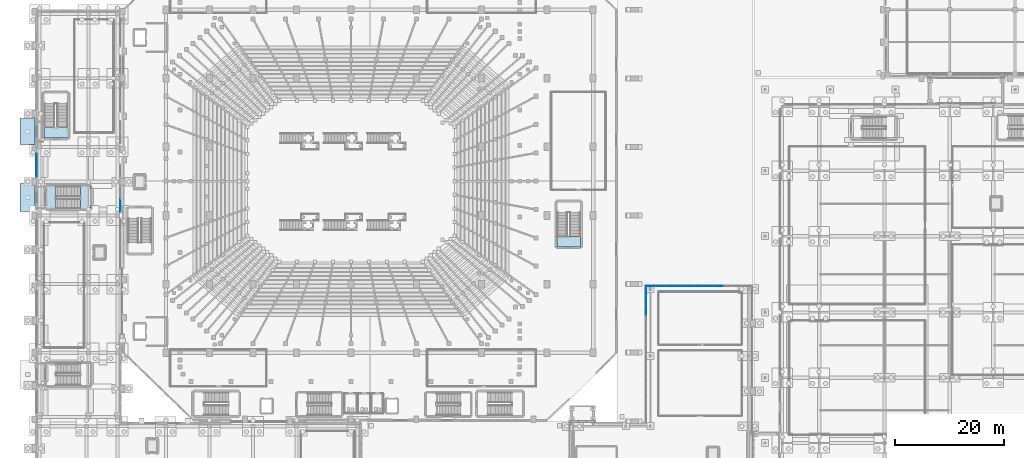
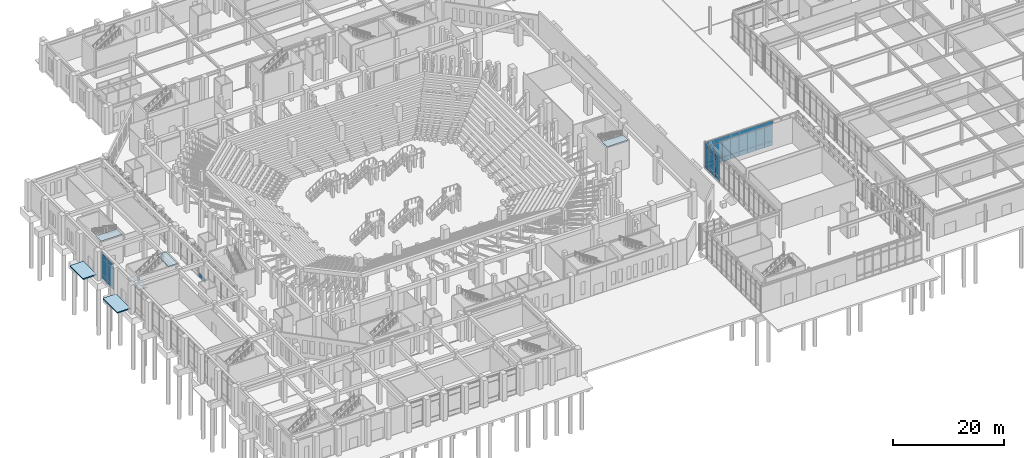
# One storey, part 82 of 143: 40 plates, 6 slabs, 7 elements without a shape of their own.
"""IFC4 building model written with IfcOpenShell, lengths in metres."""

from ifc_helpers import new_model, si_unit, derived_unit, direction, frame, origin, origin_2d, place, context, subcontext, project, spatial, polyline, rectangle, outline, extrude, material, layer, layer_set, type_object, element, aggregate, save


model = new_model("IFC4")

# Units and contexts
model_context = context("Model", 3, precision=1e-05, world=origin(), true_north=direction((0.0, 1.0)))
body_context = subcontext(model_context, "Body", "Model", "MODEL_VIEW")
ifc_project = project(units=[si_unit("LENGTHUNIT", "METRE"), si_unit("AREAUNIT", "SQUARE_METRE"), si_unit("VOLUMEUNIT", "CUBIC_METRE"), si_unit("PLANEANGLEUNIT", "RADIAN"), si_unit("MASSUNIT", "GRAM", prefix="KILO"), derived_unit("THERMALTRANSMITTANCEUNIT", [(si_unit("MASSUNIT", "GRAM", prefix="KILO"), 1), (si_unit("TIMEUNIT", "SECOND"), -3), (si_unit("THERMODYNAMICTEMPERATUREUNIT", "KELVIN"), -1)])], contexts=[model_context])

# Site, building, storey
site_placement = place(None, origin())
site = spatial("IfcSite", under=ifc_project, at=site_placement, CompositionType="ELEMENT")
building_placement = place(site_placement, origin())
building = spatial("IfcBuilding", under=site, at=building_placement, Name="Valcora Ridge Arena", CompositionType="ELEMENT")
storey_placement = place(building_placement, origin())
storey = spatial("IfcBuildingStorey", under=building, at=storey_placement, Name="L00", CompositionType="ELEMENT", Elevation=0.0)

# Stair, slabs
ifc_material_1 = material(Name="Concrete C40/50", Category="concrete")
stair_type_1 = type_object("IfcStairType", Name="TY-STAIR-ES08-60", PredefinedType="HALF_TURN_STAIR", material=ifc_material_1)
stair_1_placement = place(storey_placement, origin())
stair_1 = element("IfcStair", 1, at=stair_1_placement, inside=storey, type_object=stair_type_1, Name="ES08-60 STR-ES-0027", PredefinedType="HALF_TURN_STAIR")
ifc_layer_1 = layer(ifc_material_1, 0.199951171875, Name="Concrete C40/50")
ifc_layer_set_1 = layer_set([ifc_layer_1], Name="Concrete C40/50")
slab_type_1 = type_object("IfcSlabType", Name="TY-LAND-ES08-60", PredefinedType="LANDING", material=ifc_layer_set_1)
slab_1_placement = place(storey_placement, frame((0.0, 0.0, 2.800048828125)))
slab_1 = element("IfcSlab", 2, at=slab_1_placement, type_object=slab_type_1, Name="ES08-60 landing 1", PredefinedType="LANDING", context=body_context, shape_type="SweptSolid", body=[
    extrude(outline(polyline([(2.001953125, 59.001953125), (3.840087890625, 59.001953125), (3.840087890625, 63.197998046875), (2.001953125, 63.197998046875), (2.001953125, 59.001953125)])), origin(), (0.0, 0.0, 1.0), 0.199951171875),
])
slab_2_placement = place(storey_placement, frame((0.0, 0.0, 5.800048828125)))
slab_2 = element("IfcSlab", 3, at=slab_2_placement, type_object=slab_type_1, Name="ES08-60 landing 2", PredefinedType="LANDING", context=body_context, shape_type="SweptSolid", body=[
    extrude(outline(polyline([(8.280029296875, 59.001953125), (10.157958984375, 59.001953125), (10.157958984375, 63.197998046875), (8.280029296875, 63.197998046875), (8.280029296875, 59.001953125)])), origin(), (0.0, 0.0, 1.0), 0.199951171875),
])
aggregate(stair_1, [slab_1, slab_2])

# Stair, slab
stair_type_2 = type_object("IfcStairType", Name="TY-STAIR-ST06-60", PredefinedType="HALF_TURN_STAIR", material=ifc_material_1)
stair_2_placement = place(storey_placement, origin())
stair_2 = element("IfcStair", 4, at=stair_2_placement, inside=storey, type_object=stair_type_2, Name="ST06-60 STR-CR-0030", PredefinedType="HALF_TURN_STAIR")
ifc_layer_2 = layer(ifc_material_1, 0.199951171875, Name="Concrete C40/50")
ifc_layer_set_2 = layer_set([ifc_layer_2], Name="Concrete C40/50")
slab_type_2 = type_object("IfcSlabType", Name="TY-LAND-ST06-60", PredefinedType="LANDING", material=ifc_layer_set_2)
slab_3_placement = place(storey_placement, frame((0.0, 0.0, 5.800048828125)))
slab_3 = element("IfcSlab", 5, at=slab_3_placement, type_object=slab_type_2, Name="ST06-60 landing 2", PredefinedType="LANDING", context=body_context, shape_type="SweptSolid", body=[
    extrude(outline(polyline([(95.802001953125, 52.001953125), (100.197998046875, 52.001953125), (100.197998046875, 53.929931640625), (95.802001953125, 53.929931640625), (95.802001953125, 52.001953125)])), origin(), (0.0, 0.0, 1.0), 0.199951171875),
])
aggregate(stair_2, [slab_3])

stair_type_3 = type_object("IfcStairType", Name="TY-STAIR-ST08-60", PredefinedType="HALF_TURN_STAIR", material=ifc_material_1)
stair_3_placement = place(storey_placement, origin())
stair_3 = element("IfcStair", 6, at=stair_3_placement, inside=storey, type_object=stair_type_3, Name="ST08-60 STR-CR-0035", PredefinedType="HALF_TURN_STAIR")
ifc_layer_3 = layer(ifc_material_1, 0.199951171875, Name="Concrete C40/50")
ifc_layer_set_3 = layer_set([ifc_layer_3], Name="Concrete C40/50")
slab_type_3 = type_object("IfcSlabType", Name="TY-LAND-ST08-60", PredefinedType="LANDING", material=ifc_layer_set_3)
slab_4_placement = place(storey_placement, frame((0.0, 0.0, 5.800048828125)))
slab_4 = element("IfcSlab", 7, at=slab_4_placement, type_object=slab_type_3, Name="ST08-60 landing 2", PredefinedType="LANDING", context=body_context, shape_type="SweptSolid", body=[
    extrude(outline(polyline([(1.60205078125, 72.001953125), (5.998046875, 72.001953125), (5.998046875, 73.929931640625), (1.60205078125, 73.929931640625), (1.60205078125, 72.001953125)])), origin(), (0.0, 0.0, 1.0), 0.199951171875),
])
aggregate(stair_3, [slab_4])

# Curtain wall, plates
ifc_material_2 = material(Name="Anodised dark bronze architectural aluminium 6063-T6", Category="aluminium")
ifc_layer_4 = layer(ifc_material_2, 0.179931640625, Name="Anodised dark bronze architectural aluminium 6063-T6")
ifc_layer_set_4 = layer_set([ifc_layer_4], Name="Anodised dark bronze architectural aluminium 6063-T6")
curtain_wall_type_1 = type_object("IfcCurtainWallType", Name="TY-CURTAINWALL-CW-V3-LANCET-194X56", PredefinedType="NOTDEFINED", material=ifc_layer_set_4)
curtain_wall_1_placement = place(storey_placement, origin())
curtain_wall_1 = element("IfcCurtainWall", 8, at=curtain_wall_1_placement, inside=storey, type_object=curtain_wall_type_1, Name="CW-V3-LANCET-194X56 CW-0007", PredefinedType="NOTDEFINED")
ifc_material_3 = material(Name="Low-iron solar-control double glazing SHGC 0.28", Category="glass")
ifc_layer_5 = layer(ifc_material_3, 0.031982421875, Name="Low-iron solar-control double glazing SHGC 0.28")
ifc_layer_set_5 = layer_set([ifc_layer_5], Name="Low-iron solar-control double glazing SHGC 0.28")
plate_type_1 = type_object("IfcPlateType", Name="TY-PLT-CWP-1678X0960", PredefinedType="CURTAIN_PANEL", material=ifc_layer_set_5)
plate_1_placement = place(storey_placement, frame((113.09912109375, 44.85009765625, 0.06005859375), z_axis=(0.0, 0.0, 1.0), x_axis=(1.0, 0.0, 0.0)))
plate_1 = element("IfcPlate", 9, at=plate_1_placement, type_object=plate_type_1, Name="CW-0007/P00-00", PredefinedType="CURTAIN_PANEL", context=body_context, shape_type="SweptSolid", body=[
    extrude(rectangle(XDim=1.677978515625, YDim=0.031982421875, at=origin_2d()), origin(), (0.0, 0.0, 1.0), 0.9599609375),
])
ifc_layer_6 = layer(ifc_material_3, 0.031982421875, Name="Low-iron solar-control double glazing SHGC 0.28")
ifc_layer_set_6 = layer_set([ifc_layer_6], Name="Low-iron solar-control double glazing SHGC 0.28")
plate_type_2 = type_object("IfcPlateType", Name="TY-PLT-CWP-1678X1010", PredefinedType="CURTAIN_PANEL", material=ifc_layer_set_6)
plate_2_placement = place(storey_placement, frame((113.09912109375, 44.85009765625, 4.56982421875), z_axis=(0.0, 0.0, 1.0), x_axis=(1.0, 0.0, 0.0)))
plate_2 = element("IfcPlate", 10, at=plate_2_placement, type_object=plate_type_2, Name="CW-0007/P00-02", PredefinedType="CURTAIN_PANEL", context=body_context, shape_type="SweptSolid", body=[
    extrude(rectangle(XDim=1.677978515625, YDim=0.031982421875, at=origin_2d()), origin(), (0.0, 0.0, 1.0), 1.010009765625),
])
ifc_layer_7 = layer(ifc_material_3, 0.031982421875, Name="Low-iron solar-control double glazing SHGC 0.28")
ifc_layer_set_7 = layer_set([ifc_layer_7], Name="Low-iron solar-control double glazing SHGC 0.28")
plate_type_3 = type_object("IfcPlateType", Name="TY-PLT-CWP-1678X3430", PredefinedType="CURTAIN_PANEL", material=ifc_layer_set_7)
plate_3_placement = place(storey_placement, frame((113.09912109375, 44.85009765625, 1.080078125), z_axis=(0.0, 0.0, 1.0), x_axis=(1.0, 0.0, 0.0)))
plate_3 = element("IfcPlate", 11, at=plate_3_placement, type_object=plate_type_3, Name="CW-0007/P00-01", PredefinedType="CURTAIN_PANEL", context=body_context, shape_type="SweptSolid", body=[
    extrude(rectangle(XDim=1.677978515625, YDim=0.031982421875, at=origin_2d()), origin(), (0.0, 0.0, 1.0), 3.429931640625),
])

ifc_layer_8 = layer(ifc_material_2, 0.179931640625, Name="Anodised dark bronze architectural aluminium 6063-T6")
ifc_layer_set_8 = layer_set([ifc_layer_8], Name="Anodised dark bronze architectural aluminium 6063-T6")
curtain_wall_type_2 = type_object("IfcCurtainWallType", Name="TY-CURTAINWALL-CW-V3-LANCET-250X56", PredefinedType="NOTDEFINED", material=ifc_layer_set_8)
curtain_wall_2_placement = place(storey_placement, origin())
curtain_wall_2 = element("IfcCurtainWall", 12, at=curtain_wall_2_placement, inside=storey, type_object=curtain_wall_type_2, Name="CW-V3-LANCET-250X56 CW-0008", PredefinedType="NOTDEFINED")
ifc_layer_9 = layer(ifc_material_3, 0.031982421875, Name="Low-iron solar-control double glazing SHGC 0.28")
ifc_layer_set_9 = layer_set([ifc_layer_9], Name="Low-iron solar-control double glazing SHGC 0.28")
plate_type_4 = type_object("IfcPlateType", Name="TY-PLT-CWP-1696X0960", PredefinedType="CURTAIN_PANEL", material=ifc_layer_set_9)
plate_4_placement = place(storey_placement, frame((112.199951171875, 43.94189453125, 0.06005859375), z_axis=(0.0, 0.0, 1.0), x_axis=(0.0, 1.0, 0.0)))
plate_4 = element("IfcPlate", 13, at=plate_4_placement, type_object=plate_type_4, Name="CW-0008/P13-00", PredefinedType="CURTAIN_PANEL", context=body_context, shape_type="SweptSolid", body=[
    extrude(rectangle(XDim=1.696044921875, YDim=0.031982421875, at=origin_2d()), origin(), (0.0, 0.0, 1.0), 0.9599609375),
])
ifc_layer_10 = layer(ifc_material_3, 0.031982421875, Name="Low-iron solar-control double glazing SHGC 0.28")
ifc_layer_set_10 = layer_set([ifc_layer_10], Name="Low-iron solar-control double glazing SHGC 0.28")
plate_type_5 = type_object("IfcPlateType", Name="TY-PLT-CWP-1696X1010", PredefinedType="CURTAIN_PANEL", material=ifc_layer_set_10)
plate_5_placement = place(storey_placement, frame((112.199951171875, 43.94189453125, 4.56982421875), z_axis=(0.0, 0.0, 1.0), x_axis=(0.0, 1.0, 0.0)))
plate_5 = element("IfcPlate", 14, at=plate_5_placement, type_object=plate_type_5, Name="CW-0008/P13-02", PredefinedType="CURTAIN_PANEL", context=body_context, shape_type="SweptSolid", body=[
    extrude(rectangle(XDim=1.696044921875, YDim=0.031982421875, at=origin_2d()), origin(), (0.0, 0.0, 1.0), 1.010009765625),
])
ifc_layer_11 = layer(ifc_material_3, 0.031982421875, Name="Low-iron solar-control double glazing SHGC 0.28")
ifc_layer_set_11 = layer_set([ifc_layer_11], Name="Low-iron solar-control double glazing SHGC 0.28")
plate_type_6 = type_object("IfcPlateType", Name="TY-PLT-CWP-1696X3430", PredefinedType="CURTAIN_PANEL", material=ifc_layer_set_11)
plate_6_placement = place(storey_placement, frame((112.199951171875, 43.94189453125, 1.080078125), z_axis=(0.0, 0.0, 1.0), x_axis=(0.0, 1.0, 0.0)))
plate_6 = element("IfcPlate", 15, at=plate_6_placement, type_object=plate_type_6, Name="CW-0008/P13-01", PredefinedType="CURTAIN_PANEL", context=body_context, shape_type="SweptSolid", body=[
    extrude(rectangle(XDim=1.696044921875, YDim=0.031982421875, at=origin_2d()), origin(), (0.0, 0.0, 1.0), 3.429931640625),
])

# Plate
ifc_layer_12 = layer(ifc_material_3, 0.031982421875, Name="Low-iron solar-control double glazing SHGC 0.28")
ifc_layer_set_12 = layer_set([ifc_layer_12], Name="Low-iron solar-control double glazing SHGC 0.28")
plate_type_7 = type_object("IfcPlateType", Name="TY-PLT-CWP-1708X0960", PredefinedType="CURTAIN_PANEL", material=ifc_layer_set_12)
plate_7_placement = place(storey_placement, frame((114.85205078125, 44.85009765625, 0.06005859375), z_axis=(0.0, 0.0, 1.0), x_axis=(1.0, 0.0, 0.0)))
plate_7 = element("IfcPlate", 16, at=plate_7_placement, type_object=plate_type_7, Name="CW-0007/P01-00", PredefinedType="CURTAIN_PANEL", context=body_context, shape_type="SweptSolid", body=[
    extrude(rectangle(XDim=1.7080078125, YDim=0.031982421875, at=origin_2d()), origin(), (0.0, 0.0, 1.0), 0.9599609375),
])

plate_8_placement = place(storey_placement, frame((118.388916015625, 44.85009765625, 0.06005859375), z_axis=(0.0, 0.0, 1.0), x_axis=(1.0, 0.0, 0.0)))
plate_8 = element("IfcPlate", 17, at=plate_8_placement, type_object=plate_type_7, Name="CW-0007/P03-00", PredefinedType="CURTAIN_PANEL", context=body_context, shape_type="SweptSolid", body=[
    extrude(rectangle(XDim=1.7080078125, YDim=0.031982421875, at=origin_2d()), origin(), (0.0, 0.0, 1.0), 0.9599609375),
])

plate_9_placement = place(storey_placement, frame((120.156982421875, 44.85009765625, 0.06005859375), z_axis=(0.0, 0.0, 1.0), x_axis=(1.0, 0.0, 0.0)))
plate_9 = element("IfcPlate", 18, at=plate_9_placement, type_object=plate_type_7, Name="CW-0007/P04-00", PredefinedType="CURTAIN_PANEL", context=body_context, shape_type="SweptSolid", body=[
    extrude(rectangle(XDim=1.7080078125, YDim=0.031982421875, at=origin_2d()), origin(), (0.0, 0.0, 1.0), 0.9599609375),
])

plate_10_placement = place(storey_placement, frame((121.925048828125, 44.85009765625, 0.06005859375), z_axis=(0.0, 0.0, 1.0), x_axis=(1.0, 0.0, 0.0)))
plate_10 = element("IfcPlate", 19, at=plate_10_placement, type_object=plate_type_7, Name="CW-0007/P05-00", PredefinedType="CURTAIN_PANEL", context=body_context, shape_type="SweptSolid", body=[
    extrude(rectangle(XDim=1.7080078125, YDim=0.031982421875, at=origin_2d()), origin(), (0.0, 0.0, 1.0), 0.9599609375),
])

plate_11_placement = place(storey_placement, frame((123.693115234375, 44.85009765625, 0.06005859375), z_axis=(0.0, 0.0, 1.0), x_axis=(1.0, 0.0, 0.0)))
plate_11 = element("IfcPlate", 20, at=plate_11_placement, type_object=plate_type_7, Name="CW-0007/P06-00", PredefinedType="CURTAIN_PANEL", context=body_context, shape_type="SweptSolid", body=[
    extrude(rectangle(XDim=1.7080078125, YDim=0.031982421875, at=origin_2d()), origin(), (0.0, 0.0, 1.0), 0.9599609375),
])

plate_12_placement = place(storey_placement, frame((125.4609375, 44.85009765625, 0.06005859375), z_axis=(0.0, 0.0, 1.0), x_axis=(1.0, 0.0, 0.0)))
plate_12 = element("IfcPlate", 21, at=plate_12_placement, type_object=plate_type_7, Name="CW-0007/P07-00", PredefinedType="CURTAIN_PANEL", context=body_context, shape_type="SweptSolid", body=[
    extrude(rectangle(XDim=1.7080078125, YDim=0.031982421875, at=origin_2d()), origin(), (0.0, 0.0, 1.0), 0.9599609375),
])

ifc_layer_13 = layer(ifc_material_3, 0.031982421875, Name="Low-iron solar-control double glazing SHGC 0.28")
ifc_layer_set_13 = layer_set([ifc_layer_13], Name="Low-iron solar-control double glazing SHGC 0.28")
plate_type_8 = type_object("IfcPlateType", Name="TY-PLT-CWP-1708X1010", PredefinedType="CURTAIN_PANEL", material=ifc_layer_set_13)
plate_13_placement = place(storey_placement, frame((114.85205078125, 44.85009765625, 4.56982421875), z_axis=(0.0, 0.0, 1.0), x_axis=(1.0, 0.0, 0.0)))
plate_13 = element("IfcPlate", 22, at=plate_13_placement, type_object=plate_type_8, Name="CW-0007/P01-02", PredefinedType="CURTAIN_PANEL", context=body_context, shape_type="SweptSolid", body=[
    extrude(rectangle(XDim=1.7080078125, YDim=0.031982421875, at=origin_2d()), origin(), (0.0, 0.0, 1.0), 1.010009765625),
])

plate_14_placement = place(storey_placement, frame((118.388916015625, 44.85009765625, 4.56982421875), z_axis=(0.0, 0.0, 1.0), x_axis=(1.0, 0.0, 0.0)))
plate_14 = element("IfcPlate", 23, at=plate_14_placement, type_object=plate_type_8, Name="CW-0007/P03-02", PredefinedType="CURTAIN_PANEL", context=body_context, shape_type="SweptSolid", body=[
    extrude(rectangle(XDim=1.7080078125, YDim=0.031982421875, at=origin_2d()), origin(), (0.0, 0.0, 1.0), 1.010009765625),
])

plate_15_placement = place(storey_placement, frame((120.156982421875, 44.85009765625, 4.56982421875), z_axis=(0.0, 0.0, 1.0), x_axis=(1.0, 0.0, 0.0)))
plate_15 = element("IfcPlate", 24, at=plate_15_placement, type_object=plate_type_8, Name="CW-0007/P04-02", PredefinedType="CURTAIN_PANEL", context=body_context, shape_type="SweptSolid", body=[
    extrude(rectangle(XDim=1.7080078125, YDim=0.031982421875, at=origin_2d()), origin(), (0.0, 0.0, 1.0), 1.010009765625),
])

plate_16_placement = place(storey_placement, frame((121.925048828125, 44.85009765625, 4.56982421875), z_axis=(0.0, 0.0, 1.0), x_axis=(1.0, 0.0, 0.0)))
plate_16 = element("IfcPlate", 25, at=plate_16_placement, type_object=plate_type_8, Name="CW-0007/P05-02", PredefinedType="CURTAIN_PANEL", context=body_context, shape_type="SweptSolid", body=[
    extrude(rectangle(XDim=1.7080078125, YDim=0.031982421875, at=origin_2d()), origin(), (0.0, 0.0, 1.0), 1.010009765625),
])

plate_17_placement = place(storey_placement, frame((123.693115234375, 44.85009765625, 4.56982421875), z_axis=(0.0, 0.0, 1.0), x_axis=(1.0, 0.0, 0.0)))
plate_17 = element("IfcPlate", 26, at=plate_17_placement, type_object=plate_type_8, Name="CW-0007/P06-02", PredefinedType="CURTAIN_PANEL", context=body_context, shape_type="SweptSolid", body=[
    extrude(rectangle(XDim=1.7080078125, YDim=0.031982421875, at=origin_2d()), origin(), (0.0, 0.0, 1.0), 1.010009765625),
])

plate_18_placement = place(storey_placement, frame((125.4609375, 44.85009765625, 4.56982421875), z_axis=(0.0, 0.0, 1.0), x_axis=(1.0, 0.0, 0.0)))
plate_18 = element("IfcPlate", 27, at=plate_18_placement, type_object=plate_type_8, Name="CW-0007/P07-02", PredefinedType="CURTAIN_PANEL", context=body_context, shape_type="SweptSolid", body=[
    extrude(rectangle(XDim=1.7080078125, YDim=0.031982421875, at=origin_2d()), origin(), (0.0, 0.0, 1.0), 1.010009765625),
])

ifc_layer_14 = layer(ifc_material_3, 0.031982421875, Name="Low-iron solar-control double glazing SHGC 0.28")
ifc_layer_set_14 = layer_set([ifc_layer_14], Name="Low-iron solar-control double glazing SHGC 0.28")
plate_type_9 = type_object("IfcPlateType", Name="TY-PLT-CWP-1708X3430", PredefinedType="CURTAIN_PANEL", material=ifc_layer_set_14)
plate_19_placement = place(storey_placement, frame((114.85205078125, 44.85009765625, 1.080078125), z_axis=(0.0, 0.0, 1.0), x_axis=(1.0, 0.0, 0.0)))
plate_19 = element("IfcPlate", 28, at=plate_19_placement, type_object=plate_type_9, Name="CW-0007/P01-01", PredefinedType="CURTAIN_PANEL", context=body_context, shape_type="SweptSolid", body=[
    extrude(rectangle(XDim=1.7080078125, YDim=0.031982421875, at=origin_2d()), origin(), (0.0, 0.0, 1.0), 3.429931640625),
])

plate_20_placement = place(storey_placement, frame((118.388916015625, 44.85009765625, 1.080078125), z_axis=(0.0, 0.0, 1.0), x_axis=(1.0, 0.0, 0.0)))
plate_20 = element("IfcPlate", 29, at=plate_20_placement, type_object=plate_type_9, Name="CW-0007/P03-01", PredefinedType="CURTAIN_PANEL", context=body_context, shape_type="SweptSolid", body=[
    extrude(rectangle(XDim=1.7080078125, YDim=0.031982421875, at=origin_2d()), origin(), (0.0, 0.0, 1.0), 3.429931640625),
])

plate_21_placement = place(storey_placement, frame((120.156982421875, 44.85009765625, 1.080078125), z_axis=(0.0, 0.0, 1.0), x_axis=(1.0, 0.0, 0.0)))
plate_21 = element("IfcPlate", 30, at=plate_21_placement, type_object=plate_type_9, Name="CW-0007/P04-01", PredefinedType="CURTAIN_PANEL", context=body_context, shape_type="SweptSolid", body=[
    extrude(rectangle(XDim=1.7080078125, YDim=0.031982421875, at=origin_2d()), origin(), (0.0, 0.0, 1.0), 3.429931640625),
])

plate_22_placement = place(storey_placement, frame((121.925048828125, 44.85009765625, 1.080078125), z_axis=(0.0, 0.0, 1.0), x_axis=(1.0, 0.0, 0.0)))
plate_22 = element("IfcPlate", 31, at=plate_22_placement, type_object=plate_type_9, Name="CW-0007/P05-01", PredefinedType="CURTAIN_PANEL", context=body_context, shape_type="SweptSolid", body=[
    extrude(rectangle(XDim=1.7080078125, YDim=0.031982421875, at=origin_2d()), origin(), (0.0, 0.0, 1.0), 3.429931640625),
])

plate_23_placement = place(storey_placement, frame((123.693115234375, 44.85009765625, 1.080078125), z_axis=(0.0, 0.0, 1.0), x_axis=(1.0, 0.0, 0.0)))
plate_23 = element("IfcPlate", 32, at=plate_23_placement, type_object=plate_type_9, Name="CW-0007/P06-01", PredefinedType="CURTAIN_PANEL", context=body_context, shape_type="SweptSolid", body=[
    extrude(rectangle(XDim=1.7080078125, YDim=0.031982421875, at=origin_2d()), origin(), (0.0, 0.0, 1.0), 3.429931640625),
])

plate_24_placement = place(storey_placement, frame((125.4609375, 44.85009765625, 1.080078125), z_axis=(0.0, 0.0, 1.0), x_axis=(1.0, 0.0, 0.0)))
plate_24 = element("IfcPlate", 33, at=plate_24_placement, type_object=plate_type_9, Name="CW-0007/P07-01", PredefinedType="CURTAIN_PANEL", context=body_context, shape_type="SweptSolid", body=[
    extrude(rectangle(XDim=1.7080078125, YDim=0.031982421875, at=origin_2d()), origin(), (0.0, 0.0, 1.0), 3.429931640625),
])

ifc_layer_15 = layer(ifc_material_3, 0.031982421875, Name="Low-iron solar-control double glazing SHGC 0.28")
ifc_layer_set_15 = layer_set([ifc_layer_15], Name="Low-iron solar-control double glazing SHGC 0.28")
plate_type_10 = type_object("IfcPlateType", Name="TY-PLT-CWP-1709X0960", PredefinedType="CURTAIN_PANEL", material=ifc_layer_set_15)
plate_25_placement = place(storey_placement, frame((116.62060546875, 44.85009765625, 0.06005859375), z_axis=(0.0, 0.0, 1.0), x_axis=(1.0, 0.0, 0.0)))
plate_25 = element("IfcPlate", 34, at=plate_25_placement, type_object=plate_type_10, Name="CW-0007/P02-00", PredefinedType="CURTAIN_PANEL", context=body_context, shape_type="SweptSolid", body=[
    extrude(rectangle(XDim=1.708984375, YDim=0.031982421875, at=origin_2d()), origin(), (0.0, 0.0, 1.0), 0.9599609375),
])

ifc_layer_16 = layer(ifc_material_3, 0.031982421875, Name="Low-iron solar-control double glazing SHGC 0.28")
ifc_layer_set_16 = layer_set([ifc_layer_16], Name="Low-iron solar-control double glazing SHGC 0.28")
plate_type_11 = type_object("IfcPlateType", Name="TY-PLT-CWP-1709X1010", PredefinedType="CURTAIN_PANEL", material=ifc_layer_set_16)
plate_26_placement = place(storey_placement, frame((116.62060546875, 44.85009765625, 4.56982421875), z_axis=(0.0, 0.0, 1.0), x_axis=(1.0, 0.0, 0.0)))
plate_26 = element("IfcPlate", 35, at=plate_26_placement, type_object=plate_type_11, Name="CW-0007/P02-02", PredefinedType="CURTAIN_PANEL", context=body_context, shape_type="SweptSolid", body=[
    extrude(rectangle(XDim=1.708984375, YDim=0.031982421875, at=origin_2d()), origin(), (0.0, 0.0, 1.0), 1.010009765625),
])

ifc_layer_17 = layer(ifc_material_3, 0.031982421875, Name="Low-iron solar-control double glazing SHGC 0.28")
ifc_layer_set_17 = layer_set([ifc_layer_17], Name="Low-iron solar-control double glazing SHGC 0.28")
plate_type_12 = type_object("IfcPlateType", Name="TY-PLT-CWP-1709X3430", PredefinedType="CURTAIN_PANEL", material=ifc_layer_set_17)
plate_27_placement = place(storey_placement, frame((116.62060546875, 44.85009765625, 1.080078125), z_axis=(0.0, 0.0, 1.0), x_axis=(1.0, 0.0, 0.0)))
plate_27 = element("IfcPlate", 36, at=plate_27_placement, type_object=plate_type_12, Name="CW-0007/P02-01", PredefinedType="CURTAIN_PANEL", context=body_context, shape_type="SweptSolid", body=[
    extrude(rectangle(XDim=1.708984375, YDim=0.031982421875, at=origin_2d()), origin(), (0.0, 0.0, 1.0), 3.429931640625),
])

aggregate(curtain_wall_1, [plate_1, plate_3, plate_2, plate_7, plate_19, plate_13, plate_25, plate_27, plate_26, plate_8, plate_20, plate_14, plate_9, plate_21, plate_15, plate_10, plate_22, plate_16, plate_11, plate_23, plate_17, plate_12, plate_24, plate_18])

ifc_layer_18 = layer(ifc_material_3, 0.031982421875, Name="Low-iron solar-control double glazing SHGC 0.28")
ifc_layer_set_18 = layer_set([ifc_layer_18], Name="Low-iron solar-control double glazing SHGC 0.28")
plate_type_13 = type_object("IfcPlateType", Name="TY-PLT-CWP-1725X0960", PredefinedType="CURTAIN_PANEL", material=ifc_layer_set_18)
plate_28_placement = place(storey_placement, frame((112.199951171875, 42.17138671875, 0.06005859375), z_axis=(0.0, 0.0, 1.0), x_axis=(0.0, 1.0, 0.0)))
plate_28 = element("IfcPlate", 37, at=plate_28_placement, type_object=plate_type_13, Name="CW-0008/P12-00", PredefinedType="CURTAIN_PANEL", context=body_context, shape_type="SweptSolid", body=[
    extrude(rectangle(XDim=1.72509765625, YDim=0.031982421875, at=origin_2d()), origin(), (0.0, 0.0, 1.0), 0.9599609375),
])

ifc_layer_19 = layer(ifc_material_3, 0.031982421875, Name="Low-iron solar-control double glazing SHGC 0.28")
ifc_layer_set_19 = layer_set([ifc_layer_19], Name="Low-iron solar-control double glazing SHGC 0.28")
plate_type_14 = type_object("IfcPlateType", Name="TY-PLT-CWP-1725X1010", PredefinedType="CURTAIN_PANEL", material=ifc_layer_set_19)
plate_29_placement = place(storey_placement, frame((112.199951171875, 42.17138671875, 4.56982421875), z_axis=(0.0, 0.0, 1.0), x_axis=(0.0, 1.0, 0.0)))
plate_29 = element("IfcPlate", 38, at=plate_29_placement, type_object=plate_type_14, Name="CW-0008/P12-02", PredefinedType="CURTAIN_PANEL", context=body_context, shape_type="SweptSolid", body=[
    extrude(rectangle(XDim=1.72509765625, YDim=0.031982421875, at=origin_2d()), origin(), (0.0, 0.0, 1.0), 1.010009765625),
])

ifc_layer_20 = layer(ifc_material_3, 0.031982421875, Name="Low-iron solar-control double glazing SHGC 0.28")
ifc_layer_set_20 = layer_set([ifc_layer_20], Name="Low-iron solar-control double glazing SHGC 0.28")
plate_type_15 = type_object("IfcPlateType", Name="TY-PLT-CWP-1725X3430", PredefinedType="CURTAIN_PANEL", material=ifc_layer_set_20)
plate_30_placement = place(storey_placement, frame((112.199951171875, 42.17138671875, 1.080078125), z_axis=(0.0, 0.0, 1.0), x_axis=(0.0, 1.0, 0.0)))
plate_30 = element("IfcPlate", 39, at=plate_30_placement, type_object=plate_type_15, Name="CW-0008/P12-01", PredefinedType="CURTAIN_PANEL", context=body_context, shape_type="SweptSolid", body=[
    extrude(rectangle(XDim=1.72509765625, YDim=0.031982421875, at=origin_2d()), origin(), (0.0, 0.0, 1.0), 3.429931640625),
])

ifc_layer_21 = layer(ifc_material_3, 0.031982421875, Name="Low-iron solar-control double glazing SHGC 0.28")
ifc_layer_set_21 = layer_set([ifc_layer_21], Name="Low-iron solar-control double glazing SHGC 0.28")
plate_type_16 = type_object("IfcPlateType", Name="TY-PLT-CWP-1726X0960", PredefinedType="CURTAIN_PANEL", material=ifc_layer_set_21)
plate_31_placement = place(storey_placement, frame((112.199951171875, 40.385986328125, 0.06005859375), z_axis=(0.0, 0.0, 1.0), x_axis=(0.0, 1.0, 0.0)))
plate_31 = element("IfcPlate", 40, at=plate_31_placement, type_object=plate_type_16, Name="CW-0008/P11-00", PredefinedType="CURTAIN_PANEL", context=body_context, shape_type="SweptSolid", body=[
    extrude(rectangle(XDim=1.72607421875, YDim=0.031982421875, at=origin_2d()), origin(), (0.0, 0.0, 1.0), 0.9599609375),
])

ifc_layer_22 = layer(ifc_material_3, 0.031982421875, Name="Low-iron solar-control double glazing SHGC 0.28")
ifc_layer_set_22 = layer_set([ifc_layer_22], Name="Low-iron solar-control double glazing SHGC 0.28")
plate_type_17 = type_object("IfcPlateType", Name="TY-PLT-CWP-1726X1010", PredefinedType="CURTAIN_PANEL", material=ifc_layer_set_22)
plate_32_placement = place(storey_placement, frame((112.199951171875, 40.385986328125, 4.56982421875), z_axis=(0.0, 0.0, 1.0), x_axis=(0.0, 1.0, 0.0)))
plate_32 = element("IfcPlate", 41, at=plate_32_placement, type_object=plate_type_17, Name="CW-0008/P11-02", PredefinedType="CURTAIN_PANEL", context=body_context, shape_type="SweptSolid", body=[
    extrude(rectangle(XDim=1.72607421875, YDim=0.031982421875, at=origin_2d()), origin(), (0.0, 0.0, 1.0), 1.010009765625),
])

ifc_layer_23 = layer(ifc_material_3, 0.031982421875, Name="Low-iron solar-control double glazing SHGC 0.28")
ifc_layer_set_23 = layer_set([ifc_layer_23], Name="Low-iron solar-control double glazing SHGC 0.28")
plate_type_18 = type_object("IfcPlateType", Name="TY-PLT-CWP-1726X3430", PredefinedType="CURTAIN_PANEL", material=ifc_layer_set_23)
plate_33_placement = place(storey_placement, frame((112.199951171875, 40.385986328125, 1.080078125), z_axis=(0.0, 0.0, 1.0), x_axis=(0.0, 1.0, 0.0)))
plate_33 = element("IfcPlate", 42, at=plate_33_placement, type_object=plate_type_18, Name="CW-0008/P11-01", PredefinedType="CURTAIN_PANEL", context=body_context, shape_type="SweptSolid", body=[
    extrude(rectangle(XDim=1.72607421875, YDim=0.031982421875, at=origin_2d()), origin(), (0.0, 0.0, 1.0), 3.429931640625),
])

aggregate(curtain_wall_2, [plate_31, plate_33, plate_32, plate_28, plate_30, plate_29, plate_4, plate_6, plate_5])

# Curtain wall, plates
ifc_layer_24 = layer(ifc_material_2, 0.14990234375, Name="Anodised dark bronze architectural aluminium 6063-T6")
ifc_layer_set_24 = layer_set([ifc_layer_24], Name="Anodised dark bronze architectural aluminium 6063-T6")
curtain_wall_type_3 = type_object("IfcCurtainWallType", Name="TY-CURTAINWALL-CW-V4-CLUB-043X56", PredefinedType="NOTDEFINED", material=ifc_layer_set_24)
curtain_wall_3_placement = place(storey_placement, origin())
curtain_wall_3 = element("IfcCurtainWall", 43, at=curtain_wall_3_placement, inside=storey, type_object=curtain_wall_type_3, Name="CW-V4-CLUB-043X56 CW-0196", PredefinedType="NOTDEFINED")
ifc_layer_25 = layer(ifc_material_3, 0.028076171875, Name="Low-iron solar-control double glazing SHGC 0.28")
ifc_layer_set_25 = layer_set([ifc_layer_25], Name="Low-iron solar-control double glazing SHGC 0.28")
plate_type_19 = type_object("IfcPlateType", Name="TY-PLT-CWP-2085X0975", PredefinedType="CURTAIN_PANEL", material=ifc_layer_set_25)
plate_34_placement = place(storey_placement, frame((0.219970703125, 65.9326171875, 0.050048828125), z_axis=(0.0, 0.0, 1.0), x_axis=(0.0, 1.0, 0.0)))
plate_34 = element("IfcPlate", 44, at=plate_34_placement, type_object=plate_type_19, Name="CW-0196/P00-00", PredefinedType="CURTAIN_PANEL", context=body_context, shape_type="SweptSolid", body=[
    extrude(rectangle(XDim=2.0849609375, YDim=0.028076171875, at=origin_2d()), origin(), (0.0, 0.0, 1.0), 0.97509765625),
])
plate_35_placement = place(storey_placement, frame((0.219970703125, 68.0673828125, 0.050048828125), z_axis=(0.0, 0.0, 1.0), x_axis=(0.0, 1.0, 0.0)))
plate_35 = element("IfcPlate", 45, at=plate_35_placement, type_object=plate_type_19, Name="CW-0196/P01-00", PredefinedType="CURTAIN_PANEL", context=body_context, shape_type="SweptSolid", body=[
    extrude(rectangle(XDim=2.0849609375, YDim=0.028076171875, at=origin_2d()), origin(), (0.0, 0.0, 1.0), 0.97509765625),
])
ifc_layer_26 = layer(ifc_material_3, 0.028076171875, Name="Low-iron solar-control double glazing SHGC 0.28")
ifc_layer_set_26 = layer_set([ifc_layer_26], Name="Low-iron solar-control double glazing SHGC 0.28")
plate_type_20 = type_object("IfcPlateType", Name="TY-PLT-CWP-2085X1025", PredefinedType="CURTAIN_PANEL", material=ifc_layer_set_26)
plate_36_placement = place(storey_placement, frame((0.219970703125, 65.9326171875, 4.56494140625), z_axis=(0.0, 0.0, 1.0), x_axis=(0.0, 1.0, 0.0)))
plate_36 = element("IfcPlate", 46, at=plate_36_placement, type_object=plate_type_20, Name="CW-0196/P00-02", PredefinedType="CURTAIN_PANEL", context=body_context, shape_type="SweptSolid", body=[
    extrude(rectangle(XDim=2.0849609375, YDim=0.028076171875, at=origin_2d()), origin(), (0.0, 0.0, 1.0), 1.02490234375),
])
plate_37_placement = place(storey_placement, frame((0.219970703125, 68.0673828125, 4.56494140625), z_axis=(0.0, 0.0, 1.0), x_axis=(0.0, 1.0, 0.0)))
plate_37 = element("IfcPlate", 47, at=plate_37_placement, type_object=plate_type_20, Name="CW-0196/P01-02", PredefinedType="CURTAIN_PANEL", context=body_context, shape_type="SweptSolid", body=[
    extrude(rectangle(XDim=2.0849609375, YDim=0.028076171875, at=origin_2d()), origin(), (0.0, 0.0, 1.0), 1.02490234375),
])
ifc_layer_27 = layer(ifc_material_3, 0.028076171875, Name="Low-iron solar-control double glazing SHGC 0.28")
ifc_layer_set_27 = layer_set([ifc_layer_27], Name="Low-iron solar-control double glazing SHGC 0.28")
plate_type_21 = type_object("IfcPlateType", Name="TY-PLT-CWP-2085X3440", PredefinedType="CURTAIN_PANEL", material=ifc_layer_set_27)
plate_38_placement = place(storey_placement, frame((0.219970703125, 65.9326171875, 1.074951171875), z_axis=(0.0, 0.0, 1.0), x_axis=(0.0, 1.0, 0.0)))
plate_38 = element("IfcPlate", 48, at=plate_38_placement, type_object=plate_type_21, Name="CW-0196/P00-01", PredefinedType="CURTAIN_PANEL", context=body_context, shape_type="SweptSolid", body=[
    extrude(rectangle(XDim=2.0849609375, YDim=0.028076171875, at=origin_2d()), origin(), (0.0, 0.0, 1.0), 3.43994140625),
])
plate_39_placement = place(storey_placement, frame((0.219970703125, 68.0673828125, 1.074951171875), z_axis=(0.0, 0.0, 1.0), x_axis=(0.0, 1.0, 0.0)))
plate_39 = element("IfcPlate", 49, at=plate_39_placement, type_object=plate_type_21, Name="CW-0196/P01-01", PredefinedType="CURTAIN_PANEL", context=body_context, shape_type="SweptSolid", body=[
    extrude(rectangle(XDim=2.0849609375, YDim=0.028076171875, at=origin_2d()), origin(), (0.0, 0.0, 1.0), 3.43994140625),
])
aggregate(curtain_wall_3, [plate_34, plate_38, plate_36, plate_35, plate_39, plate_37])

# Curtain wall, plate
ifc_layer_28 = layer(ifc_material_2, 0.14990234375, Name="Anodised dark bronze architectural aluminium 6063-T6")
ifc_layer_set_28 = layer_set([ifc_layer_28], Name="Anodised dark bronze architectural aluminium 6063-T6")
curtain_wall_type_4 = type_object("IfcCurtainWallType", Name="TY-CURTAINWALL-CW-V4-CLUB-048X56", PredefinedType="NOTDEFINED", material=ifc_layer_set_28)
curtain_wall_4_placement = place(storey_placement, origin())
curtain_wall_4 = element("IfcCurtainWall", 50, at=curtain_wall_4_placement, inside=storey, type_object=curtain_wall_type_4, Name="CW-V4-CLUB-048X56 CW-0198", PredefinedType="NOTDEFINED")
ifc_layer_29 = layer(ifc_material_3, 0.028076171875, Name="Low-iron solar-control double glazing SHGC 0.28")
ifc_layer_set_29 = layer_set([ifc_layer_29], Name="Low-iron solar-control double glazing SHGC 0.28")
plate_type_22 = type_object("IfcPlateType", Name="TY-PLT-CWP-2310X0975", PredefinedType="CURTAIN_PANEL", material=ifc_layer_set_29)
plate_40_placement = place(storey_placement, frame((15.64990234375, 59.594970703125, 0.050048828125), z_axis=(0.0, 0.0, 1.0), x_axis=(0.0, 1.0, 0.0)))
plate_40 = element("IfcPlate", 51, at=plate_40_placement, type_object=plate_type_22, Name="CW-0198/P00-00", PredefinedType="CURTAIN_PANEL", context=body_context, shape_type="SweptSolid", body=[
    extrude(rectangle(XDim=2.31005859375, YDim=0.028076171875, at=origin_2d()), origin(), (0.0, 0.0, 1.0), 0.97509765625),
])
aggregate(curtain_wall_4, [plate_40])

# Slabs
ifc_layer_30 = layer(ifc_material_1, 0.239990234375, Name="Concrete C40/50")
ifc_layer_set_30 = layer_set([ifc_layer_30], Name="Concrete C40/50")
slab_type_4 = type_object("IfcSlabType", Name="TY-SLAB-SL-PAV-EXP", PredefinedType="USERDEFINED", material=ifc_layer_set_30)
slab_5_placement = place(storey_placement, frame((0.0, 0.0, -0.239990234375)))
element("IfcSlab", 52, at=slab_5_placement, inside=storey, type_object=slab_type_4, Name="SL-PAV-EXP SLB-XP-0002", ObjectType="PAVING", PredefinedType="USERDEFINED", context=body_context, shape_type="SweptSolid", body=[
    extrude(outline(polyline([(-2.800048828125, 58.5), (0.0, 58.5), (0.0, 63.699951171875), (-2.800048828125, 63.699951171875), (-2.800048828125, 58.5)])), origin(), (0.0, 0.0, 1.0), 0.239990234375),
])
slab_6_placement = place(storey_placement, frame((0.0, 0.0, -0.239990234375)))
element("IfcSlab", 53, at=slab_6_placement, inside=storey, type_object=slab_type_4, Name="SL-PAV-EXP SLB-XP-0003", ObjectType="PAVING", PredefinedType="USERDEFINED", context=body_context, shape_type="SweptSolid", body=[
    extrude(outline(polyline([(-2.800048828125, 70.800048828125), (0.0, 70.800048828125), (0.0, 75.60009765625), (-2.800048828125, 75.60009765625), (-2.800048828125, 70.800048828125)])), origin(), (0.0, 0.0, 1.0), 0.239990234375),
])

save(model, "model.ifc")
